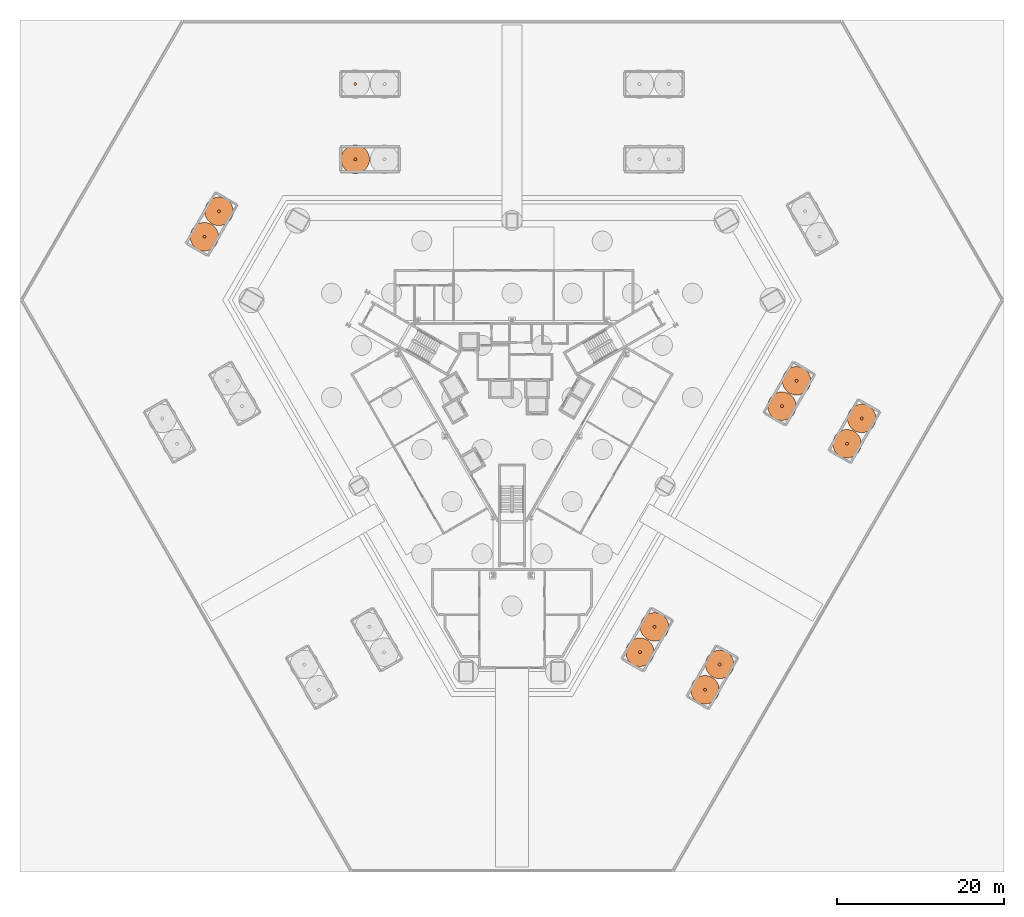
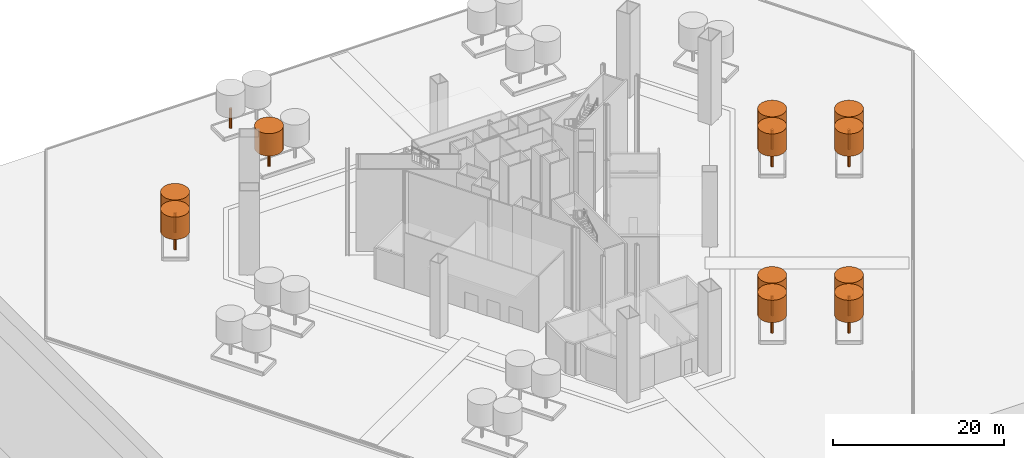
# One storey, part 21 of 22: 23 geographic elements.
"""IFC4 building model written with IfcOpenShell, lengths in metres."""

from ifc_helpers import new_model, si_unit, direction, frame, origin, origin_2d, place, context, subcontext, project, spatial, circle, extrude, element, save


model = new_model("IFC4")

# Units and contexts
model_context = context("Model", 3, precision=1e-05, world=origin(), true_north=direction((0.0, 1.0)))
body_context = subcontext(model_context, "Body", "Model", "MODEL_VIEW")
ifc_project = project(units=[si_unit("LENGTHUNIT", "METRE"), si_unit("AREAUNIT", "SQUARE_METRE"), si_unit("VOLUMEUNIT", "CUBIC_METRE"), si_unit("PLANEANGLEUNIT", "RADIAN"), si_unit("MASSUNIT", "GRAM", prefix="KILO")], contexts=[model_context])

# Site, building, storey
site_placement = place(None, origin())
site = spatial("IfcSite", under=ifc_project, at=site_placement, CompositionType="ELEMENT")
building_placement = place(site_placement, origin())
building = spatial("IfcBuilding", under=site, at=building_placement, Name="Verrane Prism Tower", CompositionType="ELEMENT")
storey_placement = place(building_placement, origin())
storey = spatial("IfcBuildingStorey", under=building, at=storey_placement, Name="L00", CompositionType="ELEMENT", Elevation=0.0)

# Geographic elements
geographic_element_1_placement = place(storey_placement, frame((-18.75, 28.5, 3.199951171875), z_axis=(0.0, 0.0, -1.0), x_axis=(1.0, 0.0, 0.0)))
element("IfcGeographicElement", 1, at=geographic_element_1_placement, inside=storey, Name="Tree trunk 2.2", ObjectType="TREE TRUNK", PredefinedType="USERDEFINED", context=body_context, shape_type="SweptSolid", body=[
    extrude(circle(Radius=0.175048828125, at=origin_2d()), origin(), (0.0, 0.0, 1.0), 2.800048828125),
])
geographic_element_2_placement = place(storey_placement, frame((-18.75, 28.5, 6.199951171875), z_axis=(0.0, 0.0, -1.0), x_axis=(1.0, 0.0, 0.0)))
element("IfcGeographicElement", 2, at=geographic_element_2_placement, inside=storey, Name="Tree crown 2.2", ObjectType="TREE CROWN", PredefinedType="USERDEFINED", context=body_context, shape_type="SweptSolid", body=[
    extrude(circle(Radius=1.699951171875, at=origin_2d()), origin(), (0.0, 0.0, 1.0), 3.199951171875),
])
for number, where, z_axis, x_axis, name in (
    (3, (-18.75, 37.5, 3.199951171875), (0.0, 0.0, -1.0), (1.0, 0.0, 0.0), "Tree trunk 4.2"),
    (4, (15.306640625, -30.488037109375, 3.199951171875), (0.0, 0.0, -1.0), (1.0, 0.0, 0.0), "Tree trunk 9.1"),
):
    element("IfcGeographicElement", number, at=place(storey_placement, frame(where, z_axis=z_axis, x_axis=x_axis)), inside=storey, Name=name, ObjectType="TREE TRUNK", PredefinedType="USERDEFINED", context=body_context, shape_type="SweptSolid", body=[
        extrude(circle(Radius=0.175048828125, at=origin_2d()), origin(), (0.0, 0.0, 1.0), 2.800048828125),
    ])
geographic_element_3_placement = place(storey_placement, frame((15.306640625, -30.488037109375, 6.199951171875), z_axis=(0.0, 0.0, -1.0), x_axis=(1.0, 0.0, 0.0)))
element("IfcGeographicElement", 5, at=geographic_element_3_placement, inside=storey, Name="Tree crown 9.1", ObjectType="TREE CROWN", PredefinedType="USERDEFINED", context=body_context, shape_type="SweptSolid", body=[
    extrude(circle(Radius=1.699951171875, at=origin_2d()), origin(), (0.0, 0.0, 1.0), 3.199951171875),
])
geographic_element_4_placement = place(storey_placement, frame((17.056640625, -27.456787109375, 3.199951171875), z_axis=(0.0, 0.0, -1.0), x_axis=(1.0, 0.0, 0.0)))
element("IfcGeographicElement", 6, at=geographic_element_4_placement, inside=storey, Name="Tree trunk 9.2", ObjectType="TREE TRUNK", PredefinedType="USERDEFINED", context=body_context, shape_type="SweptSolid", body=[
    extrude(circle(Radius=0.175048828125, at=origin_2d()), origin(), (0.0, 0.0, 1.0), 2.800048828125),
])
geographic_element_5_placement = place(storey_placement, frame((17.056640625, -27.456787109375, 6.199951171875), z_axis=(0.0, 0.0, -1.0), x_axis=(1.0, 0.0, 0.0)))
element("IfcGeographicElement", 7, at=geographic_element_5_placement, inside=storey, Name="Tree crown 9.2", ObjectType="TREE CROWN", PredefinedType="USERDEFINED", context=body_context, shape_type="SweptSolid", body=[
    extrude(circle(Radius=1.699951171875, at=origin_2d()), origin(), (0.0, 0.0, 1.0), 3.199951171875),
])
geographic_element_6_placement = place(storey_placement, frame((32.306640625, -1.043212890625, 3.199951171875), z_axis=(0.0, 0.0, -1.0), x_axis=(1.0, 0.0, 0.0)))
element("IfcGeographicElement", 8, at=geographic_element_6_placement, inside=storey, Name="Tree trunk 10.1", ObjectType="TREE TRUNK", PredefinedType="USERDEFINED", context=body_context, shape_type="SweptSolid", body=[
    extrude(circle(Radius=0.175048828125, at=origin_2d()), origin(), (0.0, 0.0, 1.0), 2.800048828125),
])
geographic_element_7_placement = place(storey_placement, frame((32.306640625, -1.043212890625, 6.199951171875), z_axis=(0.0, 0.0, -1.0), x_axis=(1.0, 0.0, 0.0)))
element("IfcGeographicElement", 9, at=geographic_element_7_placement, inside=storey, Name="Tree crown 10.1", ObjectType="TREE CROWN", PredefinedType="USERDEFINED", context=body_context, shape_type="SweptSolid", body=[
    extrude(circle(Radius=1.699951171875, at=origin_2d()), origin(), (0.0, 0.0, 1.0), 3.199951171875),
])
geographic_element_8_placement = place(storey_placement, frame((34.056640625, 1.988037109375, 3.199951171875), z_axis=(0.0, 0.0, -1.0), x_axis=(1.0, 0.0, 0.0)))
element("IfcGeographicElement", 10, at=geographic_element_8_placement, inside=storey, Name="Tree trunk 10.2", ObjectType="TREE TRUNK", PredefinedType="USERDEFINED", context=body_context, shape_type="SweptSolid", body=[
    extrude(circle(Radius=0.175048828125, at=origin_2d()), origin(), (0.0, 0.0, 1.0), 2.800048828125),
])
geographic_element_9_placement = place(storey_placement, frame((34.056640625, 1.988037109375, 6.199951171875), z_axis=(0.0, 0.0, -1.0), x_axis=(1.0, 0.0, 0.0)))
element("IfcGeographicElement", 11, at=geographic_element_9_placement, inside=storey, Name="Tree crown 10.2", ObjectType="TREE CROWN", PredefinedType="USERDEFINED", context=body_context, shape_type="SweptSolid", body=[
    extrude(circle(Radius=1.699951171875, at=origin_2d()), origin(), (0.0, 0.0, 1.0), 3.199951171875),
])
geographic_element_10_placement = place(storey_placement, frame((23.10107421875, -34.988037109375, 3.199951171875), z_axis=(0.0, 0.0, -1.0), x_axis=(1.0, 0.0, 0.0)))
element("IfcGeographicElement", 12, at=geographic_element_10_placement, inside=storey, Name="Tree trunk 11.1", ObjectType="TREE TRUNK", PredefinedType="USERDEFINED", context=body_context, shape_type="SweptSolid", body=[
    extrude(circle(Radius=0.175048828125, at=origin_2d()), origin(), (0.0, 0.0, 1.0), 2.800048828125),
])
geographic_element_11_placement = place(storey_placement, frame((23.10107421875, -34.988037109375, 6.199951171875), z_axis=(0.0, 0.0, -1.0), x_axis=(1.0, 0.0, 0.0)))
element("IfcGeographicElement", 13, at=geographic_element_11_placement, inside=storey, Name="Tree crown 11.1", ObjectType="TREE CROWN", PredefinedType="USERDEFINED", context=body_context, shape_type="SweptSolid", body=[
    extrude(circle(Radius=1.699951171875, at=origin_2d()), origin(), (0.0, 0.0, 1.0), 3.199951171875),
])
geographic_element_12_placement = place(storey_placement, frame((24.85107421875, -31.956787109375, 3.199951171875), z_axis=(0.0, 0.0, -1.0), x_axis=(1.0, 0.0, 0.0)))
element("IfcGeographicElement", 14, at=geographic_element_12_placement, inside=storey, Name="Tree trunk 11.2", ObjectType="TREE TRUNK", PredefinedType="USERDEFINED", context=body_context, shape_type="SweptSolid", body=[
    extrude(circle(Radius=0.175048828125, at=origin_2d()), origin(), (0.0, 0.0, 1.0), 2.800048828125),
])
geographic_element_13_placement = place(storey_placement, frame((24.85107421875, -31.956787109375, 6.199951171875), z_axis=(0.0, 0.0, -1.0), x_axis=(1.0, 0.0, 0.0)))
element("IfcGeographicElement", 15, at=geographic_element_13_placement, inside=storey, Name="Tree crown 11.2", ObjectType="TREE CROWN", PredefinedType="USERDEFINED", context=body_context, shape_type="SweptSolid", body=[
    extrude(circle(Radius=1.699951171875, at=origin_2d()), origin(), (0.0, 0.0, 1.0), 3.199951171875),
])
geographic_element_14_placement = place(storey_placement, frame((40.10107421875, -5.543212890625, 3.199951171875), z_axis=(0.0, 0.0, -1.0), x_axis=(1.0, 0.0, 0.0)))
element("IfcGeographicElement", 16, at=geographic_element_14_placement, inside=storey, Name="Tree trunk 12.1", ObjectType="TREE TRUNK", PredefinedType="USERDEFINED", context=body_context, shape_type="SweptSolid", body=[
    extrude(circle(Radius=0.175048828125, at=origin_2d()), origin(), (0.0, 0.0, 1.0), 2.800048828125),
])
geographic_element_15_placement = place(storey_placement, frame((40.10107421875, -5.543212890625, 6.199951171875), z_axis=(0.0, 0.0, -1.0), x_axis=(1.0, 0.0, 0.0)))
element("IfcGeographicElement", 17, at=geographic_element_15_placement, inside=storey, Name="Tree crown 12.1", ObjectType="TREE CROWN", PredefinedType="USERDEFINED", context=body_context, shape_type="SweptSolid", body=[
    extrude(circle(Radius=1.699951171875, at=origin_2d()), origin(), (0.0, 0.0, 1.0), 3.199951171875),
])
geographic_element_16_placement = place(storey_placement, frame((41.85107421875, -2.511962890625, 3.199951171875), z_axis=(0.0, 0.0, -1.0), x_axis=(1.0, 0.0, 0.0)))
element("IfcGeographicElement", 18, at=geographic_element_16_placement, inside=storey, Name="Tree trunk 12.2", ObjectType="TREE TRUNK", PredefinedType="USERDEFINED", context=body_context, shape_type="SweptSolid", body=[
    extrude(circle(Radius=0.175048828125, at=origin_2d()), origin(), (0.0, 0.0, 1.0), 2.800048828125),
])
geographic_element_17_placement = place(storey_placement, frame((41.85107421875, -2.511962890625, 6.199951171875), z_axis=(0.0, 0.0, -1.0), x_axis=(1.0, 0.0, 0.0)))
element("IfcGeographicElement", 19, at=geographic_element_17_placement, inside=storey, Name="Tree crown 12.2", ObjectType="TREE CROWN", PredefinedType="USERDEFINED", context=body_context, shape_type="SweptSolid", body=[
    extrude(circle(Radius=1.699951171875, at=origin_2d()), origin(), (0.0, 0.0, 1.0), 3.199951171875),
])
geographic_element_18_placement = place(storey_placement, frame((-35.06494140625, 22.265625, 3.199951171875), z_axis=(0.0, 0.0, -1.0), x_axis=(1.0, 0.0, 0.0)))
element("IfcGeographicElement", 20, at=geographic_element_18_placement, inside=storey, Name="Tree trunk 14.1", ObjectType="TREE TRUNK", PredefinedType="USERDEFINED", context=body_context, shape_type="SweptSolid", body=[
    extrude(circle(Radius=0.175048828125, at=origin_2d()), origin(), (0.0, 0.0, 1.0), 2.800048828125),
])
geographic_element_19_placement = place(storey_placement, frame((-35.06494140625, 22.265625, 6.199951171875), z_axis=(0.0, 0.0, -1.0), x_axis=(1.0, 0.0, 0.0)))
element("IfcGeographicElement", 21, at=geographic_element_19_placement, inside=storey, Name="Tree crown 14.1", ObjectType="TREE CROWN", PredefinedType="USERDEFINED", context=body_context, shape_type="SweptSolid", body=[
    extrude(circle(Radius=1.699951171875, at=origin_2d()), origin(), (0.0, 0.0, 1.0), 3.199951171875),
])
geographic_element_20_placement = place(storey_placement, frame((-36.81494140625, 19.234375, 3.199951171875), z_axis=(0.0, 0.0, -1.0), x_axis=(1.0, 0.0, 0.0)))
element("IfcGeographicElement", 22, at=geographic_element_20_placement, inside=storey, Name="Tree trunk 14.2", ObjectType="TREE TRUNK", PredefinedType="USERDEFINED", context=body_context, shape_type="SweptSolid", body=[
    extrude(circle(Radius=0.175048828125, at=origin_2d()), origin(), (0.0, 0.0, 1.0), 2.800048828125),
])
geographic_element_21_placement = place(storey_placement, frame((-36.81494140625, 19.234375, 6.199951171875), z_axis=(0.0, 0.0, -1.0), x_axis=(1.0, 0.0, 0.0)))
element("IfcGeographicElement", 23, at=geographic_element_21_placement, inside=storey, Name="Tree crown 14.2", ObjectType="TREE CROWN", PredefinedType="USERDEFINED", context=body_context, shape_type="SweptSolid", body=[
    extrude(circle(Radius=1.699951171875, at=origin_2d()), origin(), (0.0, 0.0, 1.0), 3.199951171875),
])

save(model, "model.ifc")
